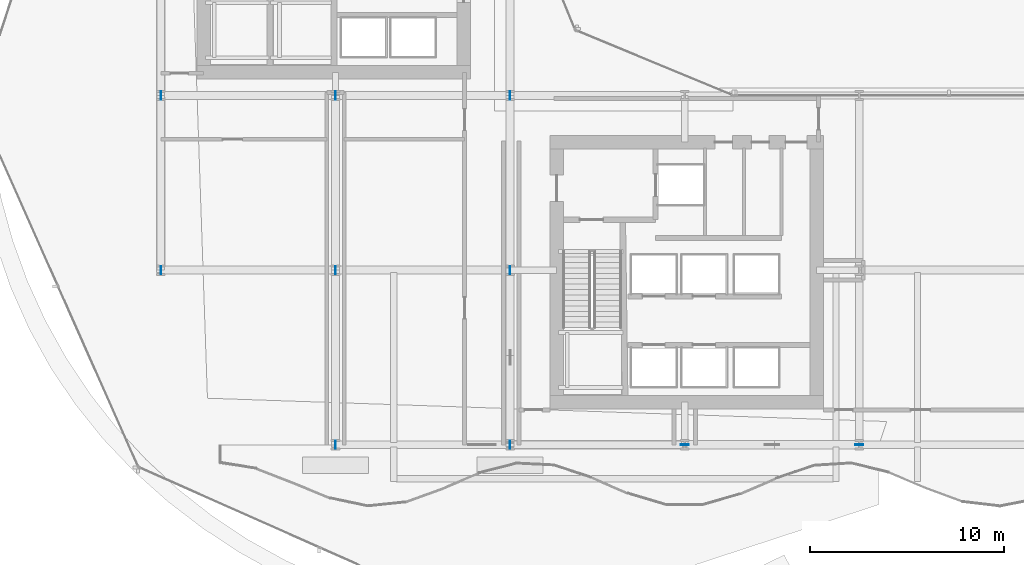
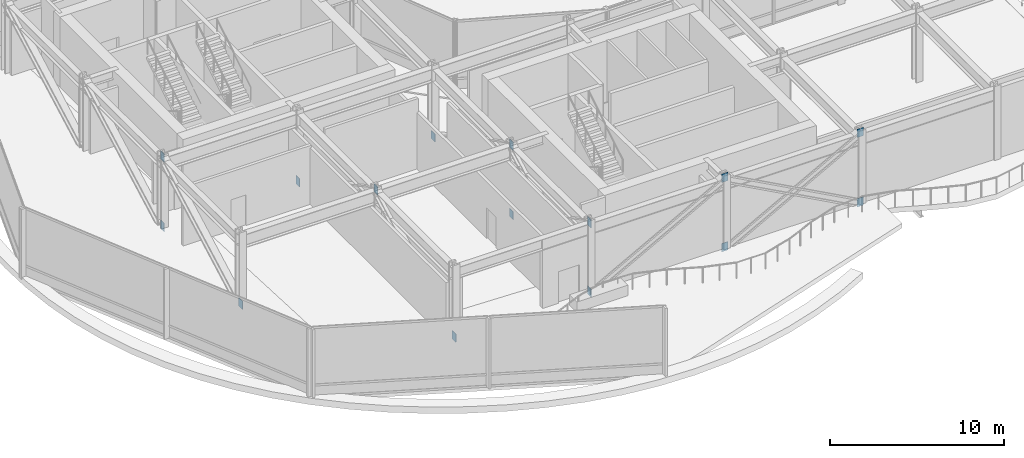
# One storey, part 27 of 37: 15 plates.
"""IFC4 building model written with IfcOpenShell, lengths in metres."""

from ifc_helpers import new_model, si_unit, direction, frame, origin, origin_2d, place, context, subcontext, project, spatial, rectangle, extrude, material, layer, layer_set, type_object, element, save


model = new_model("IFC4")

# Units and contexts
model_context = context("Model", 3, precision=1e-05, world=origin(), true_north=direction((0.0, 1.0)))
body_context = subcontext(model_context, "Body", "Model", "MODEL_VIEW")
ifc_project = project(units=[si_unit("LENGTHUNIT", "METRE"), si_unit("AREAUNIT", "SQUARE_METRE"), si_unit("VOLUMEUNIT", "CUBIC_METRE"), si_unit("PLANEANGLEUNIT", "RADIAN"), si_unit("MASSUNIT", "GRAM", prefix="KILO")], contexts=[model_context])

# Site, building, storey
site_placement = place(None, origin())
site = spatial("IfcSite", under=ifc_project, at=site_placement, CompositionType="ELEMENT")
building_placement = place(site_placement, origin())
building = spatial("IfcBuilding", under=site, at=building_placement, Name="Solvaryn Broadcast Tower", CompositionType="ELEMENT")
storey_placement = place(building_placement, frame((0.0, 0.0, 30.800048828125)))
storey = spatial("IfcBuildingStorey", under=building, at=storey_placement, Name="L06", CompositionType="ELEMENT", Elevation=30.800048828125)

# Plates
ifc_material = material(Name="Steel ASTM A572 Grade 50", Category="steel")
ifc_layer = layer(ifc_material, 0.031982421875)
ifc_layer_set = layer_set([ifc_layer], Name="PL-ENDCAP-32")
plate_type = type_object("IfcPlateType", Name="PL-ENDCAP-32", PredefinedType="USERDEFINED", material=ifc_layer_set)
for number, where, z_axis, x_axis, name in (
    (1, (18.0, 9.0, -0.27001953125), (0.0, 0.0, 1.0), (1.0, 0.0, 0.0), "L06 Transfer Truss Diagonal 1 End Plate A"),
    (2, (18.0, 18.0, 4.60986328125), (0.0, 0.0, 1.0), (1.0, 0.0, 0.0), "L06 Transfer Truss Diagonal 1 End Plate B"),
    (3, (18.0, 27.0, -0.27001953125), (0.0, 0.0, 1.0), (1.0, 0.0, 0.0), "L06 Transfer Truss Diagonal 2 End Plate A"),
    (4, (27.0, 9.0, -0.27001953125), (0.0, 0.0, 1.0), (1.0, 0.0, 0.0), "L06 Transfer Truss X-Bay 27 Continuous Diagonal End Plate A"),
    (5, (27.0, 18.0, 4.60986328125), (0.0, 0.0, 1.0), (1.0, 0.0, 0.0), "L06 Transfer Truss X-Bay 27 Continuous Diagonal End Plate B"),
    (6, (27.0, 9.0, 4.60986328125), (0.0, 0.0, 1.0), (1.0, 0.0, 0.0), "L06 Transfer Truss X-Bay 27 End Plate 2A"),
    (7, (27.0, 18.0, -0.27001953125), (0.0, 0.0, 1.0), (1.0, 0.0, 0.0), "L06 Transfer Truss X-Bay 27 End Plate 2B"),
    (8, (27.0, 27.0, -0.27001953125), (0.0, 0.0, 1.0), (1.0, 0.0, 0.0), "L06 Transfer Truss Diagonal 5 End Plate A"),
):
    element("IfcPlate", number, at=place(storey_placement, frame(where, z_axis=z_axis, x_axis=x_axis)), inside=storey, type_object=plate_type, Name=name, ObjectType="FLANGE_PLATE", PredefinedType="USERDEFINED", context=body_context, shape_type="SweptSolid", body=[
        extrude(rectangle(XDim=0.031982421875, YDim=0.419921875, at=origin_2d()), origin(), (0.0, 0.0, 1.0), 0.580078125),
    ])
for number, where, z_axis, x_axis, name in (
    (9, (36.0, 9.0, 4.60986328125), (0.0, 0.0, 1.0), (1.0, 0.0, 0.0), "L06 Transfer Belt Chord 7 End Plate B"),
    (10, (36.0, 9.0, -0.27001953125), (0.0, 0.0, 1.0), (1.0, 0.0, 0.0), "L06 Transfer Belt X-Bay 36-45 Continuous Diagonal End Plate A"),
    (11, (45.0, 9.0, 4.60986328125), (0.0, 0.0, 1.0), (1.0, 0.0, 0.0), "L06 Transfer Belt X-Bay 36-45 Continuous Diagonal End Plate B"),
    (12, (45.0, 9.0, -0.27001953125), (0.0, 0.0, 1.0), (1.0, 0.0, 0.0), "L06 Transfer Belt X-Bay 36-45 End Plate 2B"),
):
    element("IfcPlate", number, at=place(storey_placement, frame(where, z_axis=z_axis, x_axis=x_axis)), inside=storey, type_object=plate_type, Name=name, ObjectType="FLANGE_PLATE", PredefinedType="USERDEFINED", context=body_context, shape_type="SweptSolid", body=[
        extrude(rectangle(XDim=0.419921875, YDim=0.031982421875, at=origin_2d()), origin(), (0.0, 0.0, 1.0), 0.580078125),
    ])
for number, where, z_axis, x_axis, name in (
    (13, (9.0, 18.0, -0.27001953125), (0.0, 0.0, 1.0), (1.0, 0.0, 0.0), "L06 Transfer Belt Chord 10 End Plate A"),
    (14, (9.0, 27.0, 4.60986328125), (0.0, 0.0, 1.0), (1.0, 0.0, 0.0), "L06 Transfer Belt Chord 10 End Plate B"),
    (15, (9.0, 27.0, -0.27001953125), (0.0, 0.0, 1.0), (1.0, 0.0, 0.0), "L06 Transfer Belt Chord 11 End Plate A"),
):
    element("IfcPlate", number, at=place(storey_placement, frame(where, z_axis=z_axis, x_axis=x_axis)), inside=storey, type_object=plate_type, Name=name, ObjectType="FLANGE_PLATE", PredefinedType="USERDEFINED", context=body_context, shape_type="SweptSolid", body=[
        extrude(rectangle(XDim=0.031982421875, YDim=0.419921875, at=origin_2d()), origin(), (0.0, 0.0, 1.0), 0.580078125),
    ])

save(model, "model.ifc")
